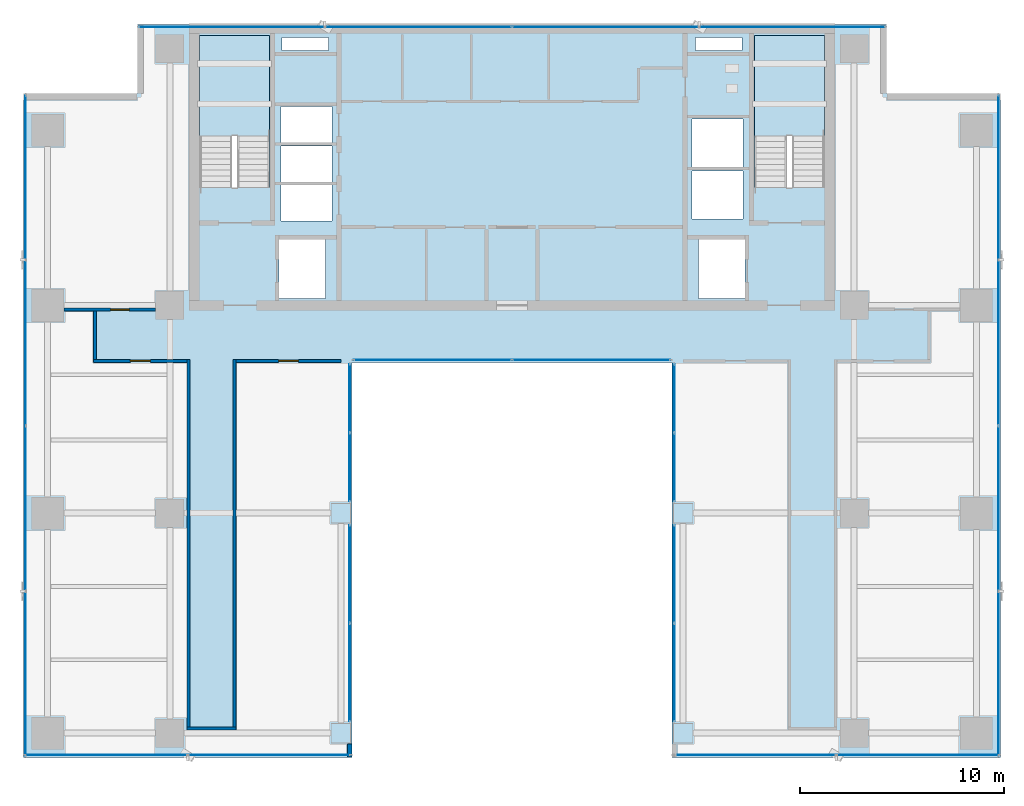
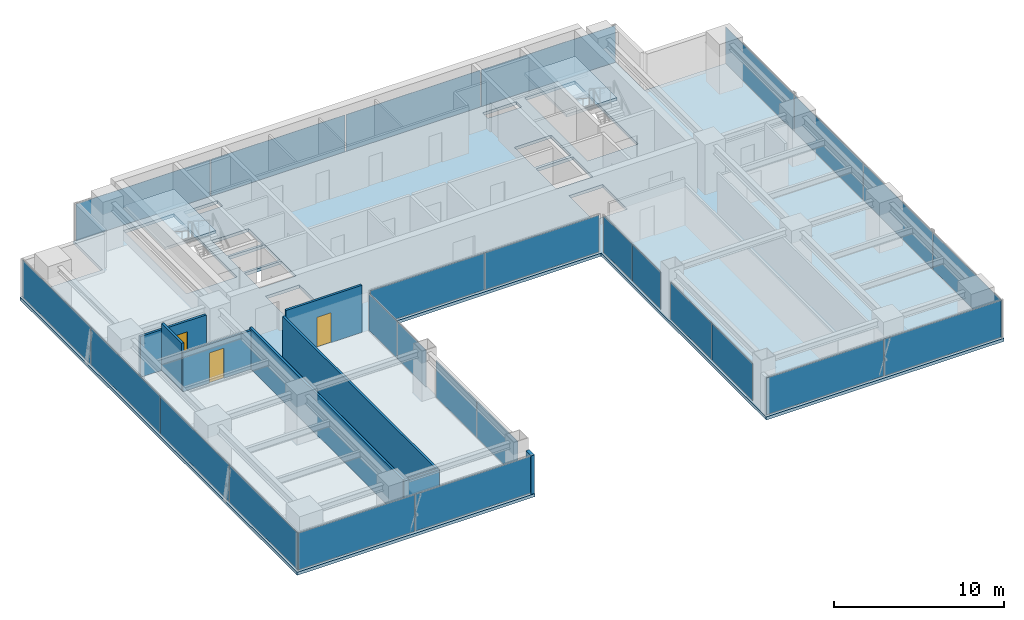
# One storey, part 23 of 29: 26 plates, 8 walls, 3 doors, 3 slabs, 3 openings, 12 elements without a shape of their own.
"""IFC4 building model written with IfcOpenShell, lengths in metres."""

from ifc_helpers import new_model, si_unit, direction, frame, frame_2d, origin, origin_2d, place, context, subcontext, project, spatial, polyline, rectangle, outline, extrude, source, transform, mapped, material, layer, layer_set, type_object, element, fill, aggregate, save


model = new_model("IFC4")

# Units and contexts
model_context = context("Model", 3, precision=1e-05, world=origin(), true_north=direction((0.0, 1.0)))
body_context = subcontext(model_context, "Body", "Model", "MODEL_VIEW")
ifc_project = project(units=[si_unit("LENGTHUNIT", "METRE"), si_unit("AREAUNIT", "SQUARE_METRE"), si_unit("VOLUMEUNIT", "CUBIC_METRE"), si_unit("PLANEANGLEUNIT", "RADIAN"), si_unit("MASSUNIT", "GRAM", prefix="KILO")], contexts=[model_context])

# Site, building, storey
site_placement = place(None, origin())
site = spatial("IfcSite", under=ifc_project, at=site_placement, CompositionType="ELEMENT")
building_placement = place(site_placement, origin())
building = spatial("IfcBuilding", under=site, at=building_placement, Name="Sumidabori Civic Tower", CompositionType="ELEMENT")
storey_placement = place(building_placement, frame((0.0, 0.0, 207.199951171875)))
storey = spatial("IfcBuildingStorey", under=building, at=storey_placement, Name="L53", CompositionType="ELEMENT", Elevation=207.199951171875)

# Stair, slab
ifc_material_1 = material(Name="Concrete C40/50", Category="concrete")
stair_type = type_object("IfcStairType", Name="ST-CORE-1600", PredefinedType="HALF_TURN_STAIR", material=ifc_material_1)
stair_1_placement = place(storey_placement, origin())
stair_1 = element("IfcStair", 1, at=stair_1_placement, inside=storey, type_object=stair_type, Name="L53 ST-1", PredefinedType="HALF_TURN_STAIR")
ifc_layer_1 = layer(ifc_material_1, 0.199951171875, Name="Concrete C40/50")
ifc_layer_set_1 = layer_set([ifc_layer_1], Name="Concrete C40/50")
slab_type_1 = type_object("IfcSlabType", Name="SL-LAND-200", PredefinedType="LANDING", material=ifc_layer_set_1)
slab_1_placement = place(storey_placement, frame((0.0, 0.0, 1.60009765625)))
slab_1 = element("IfcSlab", 2, at=slab_1_placement, type_object=slab_type_1, Name="ST-1 landing 1", PredefinedType="LANDING", context=body_context, shape_type="SweptSolid", body=[
    extrude(outline(polyline([(-11.89990234375, 18.52001953125), (-11.89990234375, 23.449951171875), (-15.340087890625, 23.449951171875), (-15.340087890625, 18.52001953125), (-11.89990234375, 18.52001953125)])), origin(), (0.0, 0.0, 1.0), 0.199951171875),
])
aggregate(stair_1, [slab_1])

stair_2_placement = place(storey_placement, origin())
stair_2 = element("IfcStair", 3, at=stair_2_placement, inside=storey, type_object=stair_type, Name="L53 ST-2", PredefinedType="HALF_TURN_STAIR")
slab_2_placement = place(storey_placement, frame((0.0, 0.0, 1.60009765625)))
slab_2 = element("IfcSlab", 4, at=slab_2_placement, type_object=slab_type_1, Name="ST-2 landing 1", PredefinedType="LANDING", context=body_context, shape_type="SweptSolid", body=[
    extrude(outline(polyline([(15.340087890625, 18.52001953125), (15.340087890625, 23.449951171875), (11.89990234375, 23.449951171875), (11.89990234375, 18.52001953125), (15.340087890625, 18.52001953125)])), origin(), (0.0, 0.0, 1.0), 0.199951171875),
])
aggregate(stair_2, [slab_2])

# Slab
ifc_layer_2 = layer(ifc_material_1, 0.219970703125, Name="Concrete C40/50")
ifc_layer_set_2 = layer_set([ifc_layer_2], Name="Concrete C40/50")
slab_type_2 = type_object("IfcSlabType", Name="SL-Z3-220", PredefinedType="FLOOR", material=ifc_layer_set_2)
slab_3_placement = place(storey_placement, frame((0.0, 0.0, -0.219970703125)))
element("IfcSlab", 5, at=slab_3_placement, inside=storey, type_object=slab_type_2, Name="Structural Slab L53", PredefinedType="FLOOR", context=body_context, shape_type="SweptSolid", body=[
    extrude(outline(polyline([(-24.0, -12.0), (-7.85009765625, -12.0), (-7.85009765625, 7.39990234375), (7.85009765625, 7.39990234375), (7.85009765625, -12.0), (24.0, -12.0), (24.0, 20.60009765625), (18.39990234375, 20.60009765625), (18.39990234375, 24.0), (-18.39990234375, 24.0), (-18.39990234375, 20.60009765625), (-24.0, 20.60009765625), (-24.0, -12.0)]), holes=[polyline([(-11.89990234375, 16.0), (-11.89990234375, 23.449951171875), (-15.340087890625, 23.449951171875), (-15.340087890625, 16.0), (-11.89990234375, 16.0)]), polyline([(15.340087890625, 16.0), (15.340087890625, 23.449951171875), (11.89990234375, 23.449951171875), (11.89990234375, 16.0), (15.340087890625, 16.0)]), polyline([(-11.449951171875, 10.550048828125), (-9.14990234375, 10.550048828125), (-9.14990234375, 13.449951171875), (-11.449951171875, 13.449951171875), (-11.449951171875, 10.550048828125)]), polyline([(9.14990234375, 10.550048828125), (11.449951171875, 10.550048828125), (11.449951171875, 13.449951171875), (9.14990234375, 13.449951171875), (9.14990234375, 10.550048828125)]), polyline([(-11.35009765625, 14.35009765625), (-8.85009765625, 14.35009765625), (-8.85009765625, 16.1201171875), (-11.35009765625, 16.1201171875), (-11.35009765625, 14.35009765625)]), polyline([(-11.35009765625, 16.27001953125), (-8.85009765625, 16.27001953125), (-8.85009765625, 18.0400390625), (-11.35009765625, 18.0400390625), (-11.35009765625, 16.27001953125)]), polyline([(-11.35009765625, 18.18994140625), (-8.85009765625, 18.18994140625), (-8.85009765625, 19.9599609375), (-11.35009765625, 19.9599609375), (-11.35009765625, 18.18994140625)]), polyline([(8.85009765625, 14.449951171875), (11.35009765625, 14.449951171875), (11.35009765625, 16.800048828125), (8.85009765625, 16.800048828125), (8.85009765625, 14.449951171875)]), polyline([(8.85009765625, 17.0), (11.35009765625, 17.0), (11.35009765625, 19.35009765625), (8.85009765625, 19.35009765625), (8.85009765625, 17.0)]), polyline([(-11.300048828125, 22.719970703125), (-9.0, 22.719970703125), (-9.0, 23.35009765625), (-11.300048828125, 23.35009765625), (-11.300048828125, 22.719970703125)]), polyline([(9.0, 22.719970703125), (11.300048828125, 22.719970703125), (11.300048828125, 23.35009765625), (9.0, 23.35009765625), (9.0, 22.719970703125)])]), origin(), (0.0, 0.0, 1.0), 0.219970703125),
])

# Curtain wall, plates
ifc_material_2 = material(Name="Anodised Bronze Aluminium AW-6063-T6", Category="aluminium")
ifc_layer_3 = layer(ifc_material_2, 0.179931640625, Name="Anodised Bronze Aluminium AW-6063-T6")
ifc_layer_set_3 = layer_set([ifc_layer_3], Name="Anodised Bronze Aluminium AW-6063-T6")
curtain_wall_type_1 = type_object("IfcCurtainWallType", Name="CW-SYS-5", PredefinedType="NOTDEFINED", material=ifc_layer_set_3)
curtain_wall_1_placement = place(storey_placement, origin())
curtain_wall_1 = element("IfcCurtainWall", 6, at=curtain_wall_1_placement, inside=storey, type_object=curtain_wall_type_1, Name="Curtain Wall CW:L53:R01", PredefinedType="NOTDEFINED")
ifc_material_3 = material(Name="Low-E Solar-Control Vision Glazing", Category="glass")
ifc_layer_4 = layer(ifc_material_3, 0.028076171875, Name="Low-E Solar-Control Vision Glazing")
ifc_layer_set_4 = layer_set([ifc_layer_4], Name="Low-E Solar-Control Vision Glazing")
plate_type_1 = type_object("IfcPlateType", Name="CW-PNL-28", PredefinedType="CURTAIN_PANEL", material=ifc_layer_set_4)
shared_shape_1 = source(origin(), body_context, "Body", "SweptSolid", [
    extrude(rectangle(XDim=7.955078125, YDim=0.028076171875, at=origin_2d()), origin(), (0.0, 0.0, 1.0), 2.639892578125),
])
plate_1_placement = place(storey_placement, frame((-19.9326171875, -11.8798828125, 0.06005859375), z_axis=(0.0, 0.0, 1.0), x_axis=(1.0, 0.0, 0.0)))
plate_1 = element("IfcPlate", 7, at=plate_1_placement, type_object=plate_type_1, Name="CW-5 panel 1.1", PredefinedType="CURTAIN_PANEL", context=body_context, shape_type="MappedRepresentation", body=[
    mapped(shared_shape_1, transform((0.0, 0.0, 0.0), x_axis=(1.0, 0.0, 0.0), y_axis=(0.0, 1.0, 0.0), z_axis=(0.0, 0.0, 1.0), scale=1.0)),
])
plate_2_placement = place(storey_placement, frame((-11.91748046875, -11.8798828125, 0.06005859375), z_axis=(0.0, 0.0, 1.0), x_axis=(1.0, 0.0, 0.0)))
plate_2 = element("IfcPlate", 8, at=plate_2_placement, type_object=plate_type_1, Name="CW-5 panel 2.1", PredefinedType="CURTAIN_PANEL", context=body_context, shape_type="MappedRepresentation", body=[
    mapped(shared_shape_1, transform((0.0, 0.0, 0.0), x_axis=(1.0, 0.0, 0.0), y_axis=(0.0, 1.0, 0.0), z_axis=(0.0, 0.0, 1.0), scale=1.0)),
])
aggregate(curtain_wall_1, [plate_1, plate_2])

curtain_wall_2_placement = place(storey_placement, origin())
curtain_wall_2 = element("IfcCurtainWall", 9, at=curtain_wall_2_placement, inside=storey, type_object=curtain_wall_type_1, Name="Curtain Wall CW:L53:R09", PredefinedType="NOTDEFINED")
plate_3_placement = place(storey_placement, frame((11.91748046875, -11.8798828125, 0.06005859375), z_axis=(0.0, 0.0, 1.0), x_axis=(1.0, 0.0, 0.0)))
plate_3 = element("IfcPlate", 10, at=plate_3_placement, type_object=plate_type_1, Name="CW-5 panel 1.1", PredefinedType="CURTAIN_PANEL", context=body_context, shape_type="MappedRepresentation", body=[
    mapped(shared_shape_1, transform((0.0, 0.0, 0.0), x_axis=(1.0, 0.0, 0.0), y_axis=(0.0, 1.0, 0.0), z_axis=(0.0, 0.0, 1.0), scale=1.0)),
])
plate_4_placement = place(storey_placement, frame((19.9326171875, -11.8798828125, 0.06005859375), z_axis=(0.0, 0.0, 1.0), x_axis=(1.0, 0.0, 0.0)))
plate_4 = element("IfcPlate", 11, at=plate_4_placement, type_object=plate_type_1, Name="CW-5 panel 2.1", PredefinedType="CURTAIN_PANEL", context=body_context, shape_type="MappedRepresentation", body=[
    mapped(shared_shape_1, transform((0.0, 0.0, 0.0), x_axis=(1.0, 0.0, 0.0), y_axis=(0.0, 1.0, 0.0), z_axis=(0.0, 0.0, 1.0), scale=1.0)),
])
aggregate(curtain_wall_2, [plate_3, plate_4])

ifc_layer_5 = layer(ifc_material_2, 0.179931640625, Name="Anodised Bronze Aluminium AW-6063-T6")
ifc_layer_set_5 = layer_set([ifc_layer_5], Name="Anodised Bronze Aluminium AW-6063-T6")
curtain_wall_type_2 = type_object("IfcCurtainWallType", Name="CW-SYS-4", PredefinedType="NOTDEFINED", material=ifc_layer_set_5)
curtain_wall_3_placement = place(storey_placement, origin())
curtain_wall_3 = element("IfcCurtainWall", 12, at=curtain_wall_3_placement, inside=storey, type_object=curtain_wall_type_2, Name="Curtain Wall CW:L53:R03", PredefinedType="NOTDEFINED")
ifc_material_4 = material(Name="Acoustic Laminated Portal Glazing", Category="glass")
ifc_layer_6 = layer(ifc_material_4, 0.030029296875, Name="Acoustic Laminated Portal Glazing")
ifc_layer_set_6 = layer_set([ifc_layer_6], Name="Acoustic Laminated Portal Glazing")
plate_type_2 = type_object("IfcPlateType", Name="CW-PNL-30", PredefinedType="CURTAIN_PANEL", material=ifc_layer_set_6)
shared_shape_2 = source(origin(), body_context, "Body", "SweptSolid", [
    extrude(rectangle(XDim=4.780029296875, YDim=0.030029296875, at=origin_2d()), origin(), (0.0, 0.0, 1.0), 2.639892578125),
])
plate_5_placement = place(storey_placement, frame((-7.969970703125, -7.820068359375, 0.06005859375), z_axis=(0.0, 0.0, 1.0), x_axis=(0.0, 1.0, 0.0)))
plate_5 = element("IfcPlate", 13, at=plate_5_placement, type_object=plate_type_2, Name="CW-4 panel 1.1", PredefinedType="CURTAIN_PANEL", context=body_context, shape_type="MappedRepresentation", body=[
    mapped(shared_shape_2, transform((0.0, 0.0, 0.0), x_axis=(1.0, 0.0, 0.0), y_axis=(0.0, 1.0, 0.0), z_axis=(0.0, 0.0, 1.0), scale=1.0)),
])
plate_6_placement = place(storey_placement, frame((-7.969970703125, -2.97998046875, 0.06005859375), z_axis=(0.0, 0.0, 1.0), x_axis=(0.0, 1.0, 0.0)))
plate_6 = element("IfcPlate", 14, at=plate_6_placement, type_object=plate_type_2, Name="CW-4 panel 2.1", PredefinedType="CURTAIN_PANEL", context=body_context, shape_type="MappedRepresentation", body=[
    mapped(shared_shape_2, transform((0.0, 0.0, 0.0), x_axis=(1.0, 0.0, 0.0), y_axis=(0.0, 1.0, 0.0), z_axis=(0.0, 0.0, 1.0), scale=1.0)),
])
aggregate(curtain_wall_3, [plate_5, plate_6])

curtain_wall_4_placement = place(storey_placement, origin())
curtain_wall_4 = element("IfcCurtainWall", 15, at=curtain_wall_4_placement, inside=storey, type_object=curtain_wall_type_2, Name="Curtain Wall CW:L53:R07", PredefinedType="NOTDEFINED")
plate_7_placement = place(storey_placement, frame((7.969970703125, -2.97998046875, 0.06005859375), z_axis=(0.0, 0.0, 1.0), x_axis=(0.0, -1.0, 0.0)))
plate_7 = element("IfcPlate", 16, at=plate_7_placement, type_object=plate_type_2, Name="CW-4 panel 1.1", PredefinedType="CURTAIN_PANEL", context=body_context, shape_type="MappedRepresentation", body=[
    mapped(shared_shape_2, transform((0.0, 0.0, 0.0), x_axis=(1.0, 0.0, 0.0), y_axis=(0.0, 1.0, 0.0), z_axis=(0.0, 0.0, 1.0), scale=1.0)),
])
plate_8_placement = place(storey_placement, frame((7.969970703125, -7.820068359375, 0.06005859375), z_axis=(0.0, 0.0, 1.0), x_axis=(0.0, -1.0, 0.0)))
plate_8 = element("IfcPlate", 17, at=plate_8_placement, type_object=plate_type_2, Name="CW-4 panel 2.1", PredefinedType="CURTAIN_PANEL", context=body_context, shape_type="MappedRepresentation", body=[
    mapped(shared_shape_2, transform((0.0, 0.0, 0.0), x_axis=(1.0, 0.0, 0.0), y_axis=(0.0, 1.0, 0.0), z_axis=(0.0, 0.0, 1.0), scale=1.0)),
])
aggregate(curtain_wall_4, [plate_7, plate_8])

curtain_wall_5_placement = place(storey_placement, origin())
curtain_wall_5 = element("IfcCurtainWall", 18, at=curtain_wall_5_placement, inside=storey, type_object=curtain_wall_type_2, Name="Curtain Wall CW:L53:R04", PredefinedType="NOTDEFINED")
shared_shape_3 = source(origin(), body_context, "Body", "SweptSolid", [
    extrude(rectangle(XDim=3.330078125, YDim=0.030029296875, at=origin_2d()), origin(), (0.0, 0.0, 1.0), 2.639892578125),
])
plate_9_placement = place(storey_placement, frame((-7.969970703125, 2.2548828125, 0.06005859375), z_axis=(0.0, 0.0, 1.0), x_axis=(0.0, 1.0, 0.0)))
plate_9 = element("IfcPlate", 19, at=plate_9_placement, type_object=plate_type_2, Name="CW-4 panel 1.1", PredefinedType="CURTAIN_PANEL", context=body_context, shape_type="MappedRepresentation", body=[
    mapped(shared_shape_3, transform((0.0, 0.0, 0.0), x_axis=(1.0, 0.0, 0.0), y_axis=(0.0, 1.0, 0.0), z_axis=(0.0, 0.0, 1.0), scale=1.0)),
])
plate_10_placement = place(storey_placement, frame((-7.969970703125, 5.64501953125, 0.06005859375), z_axis=(0.0, 0.0, 1.0), x_axis=(0.0, 1.0, 0.0)))
plate_10 = element("IfcPlate", 20, at=plate_10_placement, type_object=plate_type_2, Name="CW-4 panel 2.1", PredefinedType="CURTAIN_PANEL", context=body_context, shape_type="MappedRepresentation", body=[
    mapped(shared_shape_3, transform((0.0, 0.0, 0.0), x_axis=(1.0, 0.0, 0.0), y_axis=(0.0, 1.0, 0.0), z_axis=(0.0, 0.0, 1.0), scale=1.0)),
])
aggregate(curtain_wall_5, [plate_9, plate_10])

curtain_wall_6_placement = place(storey_placement, origin())
curtain_wall_6 = element("IfcCurtainWall", 21, at=curtain_wall_6_placement, inside=storey, type_object=curtain_wall_type_2, Name="Curtain Wall CW:L53:R06", PredefinedType="NOTDEFINED")
plate_11_placement = place(storey_placement, frame((7.969970703125, 5.64501953125, 0.06005859375), z_axis=(0.0, 0.0, 1.0), x_axis=(0.0, -1.0, 0.0)))
plate_11 = element("IfcPlate", 22, at=plate_11_placement, type_object=plate_type_2, Name="CW-4 panel 1.1", PredefinedType="CURTAIN_PANEL", context=body_context, shape_type="MappedRepresentation", body=[
    mapped(shared_shape_3, transform((0.0, 0.0, 0.0), x_axis=(1.0, 0.0, 0.0), y_axis=(0.0, 1.0, 0.0), z_axis=(0.0, 0.0, 1.0), scale=1.0)),
])
plate_12_placement = place(storey_placement, frame((7.969970703125, 2.2548828125, 0.06005859375), z_axis=(0.0, 0.0, 1.0), x_axis=(0.0, -1.0, 0.0)))
plate_12 = element("IfcPlate", 23, at=plate_12_placement, type_object=plate_type_2, Name="CW-4 panel 2.1", PredefinedType="CURTAIN_PANEL", context=body_context, shape_type="MappedRepresentation", body=[
    mapped(shared_shape_3, transform((0.0, 0.0, 0.0), x_axis=(1.0, 0.0, 0.0), y_axis=(0.0, 1.0, 0.0), z_axis=(0.0, 0.0, 1.0), scale=1.0)),
])
aggregate(curtain_wall_6, [plate_11, plate_12])

curtain_wall_7_placement = place(storey_placement, origin())
curtain_wall_7 = element("IfcCurtainWall", 24, at=curtain_wall_7_placement, inside=storey, type_object=curtain_wall_type_2, Name="Curtain Wall CW:L53:R05", PredefinedType="NOTDEFINED")
shared_shape_4 = source(origin(), body_context, "Body", "SweptSolid", [
    extrude(rectangle(XDim=7.72998046875, YDim=0.030029296875, at=origin_2d()), origin(), (0.0, 0.0, 1.0), 2.639892578125),
])
plate_13_placement = place(storey_placement, frame((-3.89501953125, 7.52001953125, 0.06005859375), z_axis=(0.0, 0.0, 1.0), x_axis=(1.0, 0.0, 0.0)))
plate_13 = element("IfcPlate", 25, at=plate_13_placement, type_object=plate_type_2, Name="CW-4 panel 1.1", PredefinedType="CURTAIN_PANEL", context=body_context, shape_type="MappedRepresentation", body=[
    mapped(shared_shape_4, transform((0.0, 0.0, 0.0), x_axis=(1.0, 0.0, 0.0), y_axis=(0.0, 1.0, 0.0), z_axis=(0.0, 0.0, 1.0), scale=1.0)),
])
plate_14_placement = place(storey_placement, frame((3.89501953125, 7.52001953125, 0.06005859375), z_axis=(0.0, 0.0, 1.0), x_axis=(1.0, 0.0, 0.0)))
plate_14 = element("IfcPlate", 26, at=plate_14_placement, type_object=plate_type_2, Name="CW-4 panel 2.1", PredefinedType="CURTAIN_PANEL", context=body_context, shape_type="MappedRepresentation", body=[
    mapped(shared_shape_4, transform((0.0, 0.0, 0.0), x_axis=(1.0, 0.0, 0.0), y_axis=(0.0, 1.0, 0.0), z_axis=(0.0, 0.0, 1.0), scale=1.0)),
])
aggregate(curtain_wall_7, [plate_13, plate_14])

curtain_wall_8_placement = place(storey_placement, origin())
curtain_wall_8 = element("IfcCurtainWall", 27, at=curtain_wall_8_placement, inside=storey, type_object=curtain_wall_type_1, Name="Curtain Wall CW:L53:R10", PredefinedType="NOTDEFINED")
shared_shape_5 = source(origin(), body_context, "Body", "SweptSolid", [
    extrude(rectangle(XDim=8.044921875, YDim=0.028076171875, at=origin_2d()), origin(), (0.0, 0.0, 1.0), 2.639892578125),
])
plate_15_placement = place(storey_placement, frame((23.8798828125, -7.887451171875, 0.06005859375), z_axis=(0.0, 0.0, 1.0), x_axis=(0.0, 1.0, 0.0)))
plate_15 = element("IfcPlate", 28, at=plate_15_placement, type_object=plate_type_1, Name="CW-5 panel 1.1", PredefinedType="CURTAIN_PANEL", context=body_context, shape_type="MappedRepresentation", body=[
    mapped(shared_shape_5, transform((0.0, 0.0, 0.0), x_axis=(1.0, 0.0, 0.0), y_axis=(0.0, 1.0, 0.0), z_axis=(0.0, 0.0, 1.0), scale=1.0)),
])
plate_16_placement = place(storey_placement, frame((23.8798828125, 16.487548828125, 0.06005859375), z_axis=(0.0, 0.0, 1.0), x_axis=(0.0, 1.0, 0.0)))
plate_16 = element("IfcPlate", 29, at=plate_16_placement, type_object=plate_type_1, Name="CW-5 panel 4.1", PredefinedType="CURTAIN_PANEL", context=body_context, shape_type="MappedRepresentation", body=[
    mapped(shared_shape_5, transform((0.0, 0.0, 0.0), x_axis=(1.0, 0.0, 0.0), y_axis=(0.0, 1.0, 0.0), z_axis=(0.0, 0.0, 1.0), scale=1.0)),
])

curtain_wall_9_placement = place(storey_placement, origin())
curtain_wall_9 = element("IfcCurtainWall", 30, at=curtain_wall_9_placement, inside=storey, type_object=curtain_wall_type_1, Name="Curtain Wall CW:L53:R16", PredefinedType="NOTDEFINED")
plate_17_placement = place(storey_placement, frame((-23.8798828125, 16.487548828125, 0.06005859375), z_axis=(0.0, 0.0, 1.0), x_axis=(0.0, -1.0, 0.0)))
plate_17 = element("IfcPlate", 31, at=plate_17_placement, type_object=plate_type_1, Name="CW-5 panel 1.1", PredefinedType="CURTAIN_PANEL", context=body_context, shape_type="MappedRepresentation", body=[
    mapped(shared_shape_5, transform((0.0, 0.0, 0.0), x_axis=(1.0, 0.0, 0.0), y_axis=(0.0, 1.0, 0.0), z_axis=(0.0, 0.0, 1.0), scale=1.0)),
])
plate_18_placement = place(storey_placement, frame((-23.8798828125, -7.887451171875, 0.06005859375), z_axis=(0.0, 0.0, 1.0), x_axis=(0.0, -1.0, 0.0)))
plate_18 = element("IfcPlate", 32, at=plate_18_placement, type_object=plate_type_1, Name="CW-5 panel 4.1", PredefinedType="CURTAIN_PANEL", context=body_context, shape_type="MappedRepresentation", body=[
    mapped(shared_shape_5, transform((0.0, 0.0, 0.0), x_axis=(1.0, 0.0, 0.0), y_axis=(0.0, 1.0, 0.0), z_axis=(0.0, 0.0, 1.0), scale=1.0)),
])

# Plate
shared_shape_6 = source(origin(), body_context, "Body", "SweptSolid", [
    extrude(rectangle(XDim=8.074951171875, YDim=0.028076171875, at=origin_2d()), origin(), (0.0, 0.0, 1.0), 2.639892578125),
])
plate_19_placement = place(storey_placement, frame((23.8798828125, 0.232421875, 0.06005859375), z_axis=(0.0, 0.0, 1.0), x_axis=(0.0, 1.0, 0.0)))
plate_19 = element("IfcPlate", 33, at=plate_19_placement, type_object=plate_type_1, Name="CW-5 panel 2.1", PredefinedType="CURTAIN_PANEL", context=body_context, shape_type="MappedRepresentation", body=[
    mapped(shared_shape_6, transform((0.0, 0.0, 0.0), x_axis=(1.0, 0.0, 0.0), y_axis=(0.0, 1.0, 0.0), z_axis=(0.0, 0.0, 1.0), scale=1.0)),
])

plate_20_placement = place(storey_placement, frame((23.8798828125, 8.367431640625, 0.06005859375), z_axis=(0.0, 0.0, 1.0), x_axis=(0.0, 1.0, 0.0)))
plate_20 = element("IfcPlate", 34, at=plate_20_placement, type_object=plate_type_1, Name="CW-5 panel 3.1", PredefinedType="CURTAIN_PANEL", context=body_context, shape_type="MappedRepresentation", body=[
    mapped(shared_shape_6, transform((0.0, 0.0, 0.0), x_axis=(1.0, 0.0, 0.0), y_axis=(0.0, 1.0, 0.0), z_axis=(0.0, 0.0, 1.0), scale=1.0)),
])

aggregate(curtain_wall_8, [plate_15, plate_19, plate_20, plate_16])

plate_21_placement = place(storey_placement, frame((-23.8798828125, 8.367431640625, 0.06005859375), z_axis=(0.0, 0.0, 1.0), x_axis=(0.0, -1.0, 0.0)))
plate_21 = element("IfcPlate", 35, at=plate_21_placement, type_object=plate_type_1, Name="CW-5 panel 2.1", PredefinedType="CURTAIN_PANEL", context=body_context, shape_type="MappedRepresentation", body=[
    mapped(shared_shape_6, transform((0.0, 0.0, 0.0), x_axis=(1.0, 0.0, 0.0), y_axis=(0.0, 1.0, 0.0), z_axis=(0.0, 0.0, 1.0), scale=1.0)),
])

plate_22_placement = place(storey_placement, frame((-23.8798828125, 0.232421875, 0.06005859375), z_axis=(0.0, 0.0, 1.0), x_axis=(0.0, -1.0, 0.0)))
plate_22 = element("IfcPlate", 36, at=plate_22_placement, type_object=plate_type_1, Name="CW-5 panel 3.1", PredefinedType="CURTAIN_PANEL", context=body_context, shape_type="MappedRepresentation", body=[
    mapped(shared_shape_6, transform((0.0, 0.0, 0.0), x_axis=(1.0, 0.0, 0.0), y_axis=(0.0, 1.0, 0.0), z_axis=(0.0, 0.0, 1.0), scale=1.0)),
])

aggregate(curtain_wall_9, [plate_17, plate_21, plate_22, plate_18])

# Curtain wall, plates
curtain_wall_10_placement = place(storey_placement, origin())
curtain_wall_10 = element("IfcCurtainWall", 37, at=curtain_wall_10_placement, inside=storey, type_object=curtain_wall_type_1, Name="Curtain Wall CW:L53:R13", PredefinedType="NOTDEFINED")
shared_shape_7 = source(origin(), body_context, "Body", "SweptSolid", [
    extrude(rectangle(XDim=9.094970703125, YDim=0.028076171875, at=origin_2d()), origin(), (0.0, 0.0, 1.0), 2.639892578125),
])
plate_23_placement = place(storey_placement, frame((13.762451171875, 23.8798828125, 0.06005859375), z_axis=(0.0, 0.0, 1.0), x_axis=(-1.0, 0.0, 0.0)))
plate_23 = element("IfcPlate", 38, at=plate_23_placement, type_object=plate_type_1, Name="CW-5 panel 1.1", PredefinedType="CURTAIN_PANEL", context=body_context, shape_type="MappedRepresentation", body=[
    mapped(shared_shape_7, transform((0.0, 0.0, 0.0), x_axis=(1.0, 0.0, 0.0), y_axis=(0.0, 1.0, 0.0), z_axis=(0.0, 0.0, 1.0), scale=1.0)),
])
plate_24_placement = place(storey_placement, frame((-13.762451171875, 23.8798828125, 0.06005859375), z_axis=(0.0, 0.0, 1.0), x_axis=(-1.0, 0.0, 0.0)))
plate_24 = element("IfcPlate", 39, at=plate_24_placement, type_object=plate_type_1, Name="CW-5 panel 4.1", PredefinedType="CURTAIN_PANEL", context=body_context, shape_type="MappedRepresentation", body=[
    mapped(shared_shape_7, transform((0.0, 0.0, 0.0), x_axis=(1.0, 0.0, 0.0), y_axis=(0.0, 1.0, 0.0), z_axis=(0.0, 0.0, 1.0), scale=1.0)),
])
shared_shape_8 = source(origin(), body_context, "Body", "SweptSolid", [
    extrude(rectangle(XDim=9.125, YDim=0.028076171875, at=origin_2d()), origin(), (0.0, 0.0, 1.0), 2.639892578125),
])
plate_25_placement = place(storey_placement, frame((4.592529296875, 23.8798828125, 0.06005859375), z_axis=(0.0, 0.0, 1.0), x_axis=(-1.0, 0.0, 0.0)))
plate_25 = element("IfcPlate", 40, at=plate_25_placement, type_object=plate_type_1, Name="CW-5 panel 2.1", PredefinedType="CURTAIN_PANEL", context=body_context, shape_type="MappedRepresentation", body=[
    mapped(shared_shape_8, transform((0.0, 0.0, 0.0), x_axis=(1.0, 0.0, 0.0), y_axis=(0.0, 1.0, 0.0), z_axis=(0.0, 0.0, 1.0), scale=1.0)),
])
plate_26_placement = place(storey_placement, frame((-4.592529296875, 23.8798828125, 0.06005859375), z_axis=(0.0, 0.0, 1.0), x_axis=(-1.0, 0.0, 0.0)))
plate_26 = element("IfcPlate", 41, at=plate_26_placement, type_object=plate_type_1, Name="CW-5 panel 3.1", PredefinedType="CURTAIN_PANEL", context=body_context, shape_type="MappedRepresentation", body=[
    mapped(shared_shape_8, transform((0.0, 0.0, 0.0), x_axis=(1.0, 0.0, 0.0), y_axis=(0.0, 1.0, 0.0), z_axis=(0.0, 0.0, 1.0), scale=1.0)),
])
aggregate(curtain_wall_10, [plate_23, plate_25, plate_26, plate_24])

# Wall
ifc_material_5 = material(Name="Precast concrete C40/50", Category="concrete")
ifc_layer_7 = layer(ifc_material_5, 0.300048828125, Name="Precast concrete C40/50")
ifc_layer_set_7 = layer_set([ifc_layer_7], Name="Precast concrete C40/50")
wall_type_1 = type_object("IfcWallType", Name="WL-EXT-POD300", PredefinedType="STANDARD", material=ifc_layer_set_7)
shared_shape_9 = source(origin(), body_context, "Body", "SweptSolid", [
    extrude(rectangle(XDim=0.639892578125, YDim=0.239990234375, at=frame_2d((0.31982421875, 0.0))), origin(), (0.0, 0.0, 1.0), 2.760009765625),
])
wall_1_placement = place(storey_placement, frame((-7.969970703125, -11.969970703125, 0.0), z_axis=(0.0, 0.0, 1.0), x_axis=(0.0, 1.0, 0.0)))
element("IfcWall", 42, at=wall_1_placement, inside=storey, type_object=wall_type_1, Name="Perimeter Pier Spandrel L53-02", PredefinedType="STANDARD", context=body_context, shape_type="MappedRepresentation", body=[
    mapped(shared_shape_9, transform((0.0, 0.0, 0.0), x_axis=(1.0, 0.0, 0.0), y_axis=(0.0, 1.0, 0.0), z_axis=(0.0, 0.0, 1.0), scale=1.0)),
])

# Wall, opening, door
ifc_material_6 = material(Name="Gypsum Plasterboard Acoustic Partition")
ifc_layer_8 = layer(ifc_material_6, 0.14990234375, Name="Gypsum Plasterboard Acoustic Partition")
ifc_layer_set_8 = layer_set([ifc_layer_8], Name="Gypsum Plasterboard Acoustic Partition")
wall_type_2 = type_object("IfcWallType", Name="WL-PART-150", PredefinedType="PARTITIONING", material=ifc_layer_set_8)
shared_shape_10 = source(origin(), body_context, "Body", "SweptSolid", [
    extrude(rectangle(XDim=4.47998046875, YDim=0.14990234375, at=frame_2d((2.239990234375, 0.0))), origin(), (0.0, 0.0, 1.0), 2.9150390625),
])
wall_2_placement = place(storey_placement, frame((-21.989990234375, 10.0, 0.0), z_axis=(0.0, 0.0, 1.0), x_axis=(1.0, 0.0, 0.0)))
wall_2 = element("IfcWall", 43, at=wall_2_placement, inside=storey, type_object=wall_type_2, Name="Interior Partition WL:L53:FLK-NW", PredefinedType="PARTITIONING", context=body_context, shape_type="MappedRepresentation", body=[
    mapped(shared_shape_10, transform((0.0, 0.0, 0.0), x_axis=(1.0, 0.0, 0.0), y_axis=(0.0, 1.0, 0.0), z_axis=(0.0, 0.0, 1.0), scale=1.0)),
])
opening_1_placement = place(wall_2_placement, frame((2.284912109375, 0.0, 0.0)))
opening_1 = element("IfcOpeningElement", 44, at=opening_1_placement, cuts=wall_2, Name="Opening DR-1", PredefinedType="OPENING", context=body_context, shape_type="SweptSolid", body=[
    extrude(rectangle(XDim=0.89990234375, YDim=2.14990234375, at=frame_2d((0.449951171875, 1.074951171875))), frame((0.0, 0.0869140625, 0.0), z_axis=(0.0, -1.0, 0.0), x_axis=(1.0, 0.0, 0.0)), (0.0, 0.0, 1.0), 0.173828125),
])
ifc_material_7 = material(Name="Japanese Hinoki Timber", Category="wood")
door_type_1 = type_object("IfcDoorType", Name="DR-INT-900", OperationType="NOTDEFINED", PredefinedType="DOOR", material=ifc_material_7)
shared_shape_11 = source(origin(), body_context, "Body", "SweptSolid", [
    extrude(rectangle(XDim=0.89990234375, YDim=2.14990234375, at=frame_2d((0.449951171875, 1.074951171875))), frame((0.0, 0.02490234375, 0.0), z_axis=(0.0, -1.0, 0.0), x_axis=(1.0, 0.0, 0.0)), (0.0, 0.0, 1.0), 0.050048828125),
])
door_1_placement = place(opening_1_placement, origin())
door_1 = element("IfcDoor", 45, at=door_1_placement, inside=storey, type_object=door_type_1, Name="Door DR:L53:FLK-NW", OperationType="SINGLE_SWING_LEFT", OverallHeight=2.14990234375, OverallWidth=0.89990234375, PredefinedType="DOOR", context=body_context, shape_type="MappedRepresentation", body=[
    mapped(shared_shape_11, transform((0.0, 0.0, 0.0), x_axis=(1.0, 0.0, 0.0), y_axis=(0.0, 1.0, 0.0), z_axis=(0.0, 0.0, 1.0), scale=1.0)),
])
fill(opening_1, door_1)

shared_shape_12 = source(origin(), body_context, "Body", "SweptSolid", [
    extrude(rectangle(XDim=4.60009765625, YDim=0.14990234375, at=frame_2d((2.300048828125, 0.0))), origin(), (0.0, 0.0, 1.0), 2.76513671875),
])
wall_3_placement = place(storey_placement, frame((-20.550048828125, 7.47509765625, 0.0), z_axis=(0.0, 0.0, 1.0), x_axis=(1.0, 0.0, 0.0)))
wall_3 = element("IfcWall", 46, at=wall_3_placement, inside=storey, type_object=wall_type_2, Name="Interior Partition WL:L53:CORR-SWO", PredefinedType="PARTITIONING", context=body_context, shape_type="MappedRepresentation", body=[
    mapped(shared_shape_12, transform((0.0, 0.0, 0.0), x_axis=(1.0, 0.0, 0.0), y_axis=(0.0, 1.0, 0.0), z_axis=(0.0, 0.0, 1.0), scale=1.0)),
])
opening_2_placement = place(wall_3_placement, frame((1.81005859375, 0.0, 0.0)))
opening_2 = element("IfcOpeningElement", 47, at=opening_2_placement, cuts=wall_3, Name="Opening DR-3", PredefinedType="OPENING", context=body_context, shape_type="SweptSolid", body=[
    extrude(rectangle(XDim=0.97998046875, YDim=2.14990234375, at=frame_2d((0.489990234375, 1.074951171875))), frame((0.0, 0.0869140625, 0.0), z_axis=(0.0, -1.0, 0.0), x_axis=(1.0, 0.0, 0.0)), (0.0, 0.0, 1.0), 0.173828125),
])
door_type_2 = type_object("IfcDoorType", Name="DR-INT-980", OperationType="NOTDEFINED", PredefinedType="DOOR", material=ifc_material_7)
shared_shape_13 = source(origin(), body_context, "Body", "SweptSolid", [
    extrude(rectangle(XDim=0.97998046875, YDim=2.14990234375, at=frame_2d((0.489990234375, 1.074951171875))), frame((0.0, 0.02490234375, 0.0), z_axis=(0.0, -1.0, 0.0), x_axis=(1.0, 0.0, 0.0)), (0.0, 0.0, 1.0), 0.050048828125),
])
door_2_placement = place(opening_2_placement, origin())
door_2 = element("IfcDoor", 48, at=door_2_placement, inside=storey, type_object=door_type_2, Name="Door DR:L53:D03", OperationType="SINGLE_SWING_LEFT", OverallHeight=2.14990234375, OverallWidth=0.97998046875, PredefinedType="DOOR", context=body_context, shape_type="MappedRepresentation", body=[
    mapped(shared_shape_13, transform((0.0, 0.0, 0.0), x_axis=(1.0, 0.0, 0.0), y_axis=(0.0, 1.0, 0.0), z_axis=(0.0, 0.0, 1.0), scale=1.0)),
])
fill(opening_2, door_2)

shared_shape_14 = source(origin(), body_context, "Body", "SweptSolid", [
    extrude(rectangle(XDim=5.150146484375, YDim=0.14990234375, at=frame_2d((2.5751953125, 0.0))), origin(), (0.0, 0.0, 1.0), 3.380126953125),
])
wall_4_placement = place(storey_placement, frame((-13.550048828125, 7.47509765625, 0.0), z_axis=(0.0, 0.0, 1.0), x_axis=(1.0, 0.0, 0.0)))
wall_4 = element("IfcWall", 49, at=wall_4_placement, inside=storey, type_object=wall_type_2, Name="Interior Partition WL:L53:CORR-SWI", PredefinedType="PARTITIONING", context=body_context, shape_type="MappedRepresentation", body=[
    mapped(shared_shape_14, transform((0.0, 0.0, 0.0), x_axis=(1.0, 0.0, 0.0), y_axis=(0.0, 1.0, 0.0), z_axis=(0.0, 0.0, 1.0), scale=1.0)),
])
opening_3_placement = place(wall_4_placement, frame((2.0849609375, 0.0, 0.0)))
opening_3 = element("IfcOpeningElement", 50, at=opening_3_placement, cuts=wall_4, Name="Opening DR-3", PredefinedType="OPENING", context=body_context, shape_type="SweptSolid", body=[
    extrude(rectangle(XDim=0.97998046875, YDim=2.14990234375, at=frame_2d((0.489990234375, 1.074951171875))), frame((0.0, 0.0869140625, 0.0), z_axis=(0.0, -1.0, 0.0), x_axis=(1.0, 0.0, 0.0)), (0.0, 0.0, 1.0), 0.173828125),
])
door_3_placement = place(opening_3_placement, origin())
door_3 = element("IfcDoor", 51, at=door_3_placement, inside=storey, type_object=door_type_2, Name="Door DR:L53:D05", OperationType="SINGLE_SWING_LEFT", OverallHeight=2.14990234375, OverallWidth=0.97998046875, PredefinedType="DOOR", context=body_context, shape_type="MappedRepresentation", body=[
    mapped(shared_shape_13, transform((0.0, 0.0, 0.0), x_axis=(1.0, 0.0, 0.0), y_axis=(0.0, 1.0, 0.0), z_axis=(0.0, 0.0, 1.0), scale=1.0)),
])
fill(opening_3, door_3)

# Walls
shared_shape_15 = source(origin(), body_context, "Body", "SweptSolid", [
    extrude(rectangle(XDim=2.39990234375, YDim=0.14990234375, at=frame_2d((1.199951171875, 0.0))), origin(), (0.0, 0.0, 1.0), 2.9150390625),
])
wall_5_placement = place(storey_placement, frame((-15.949951171875, -10.574951171875, 0.0), z_axis=(0.0, 0.0, 1.0), x_axis=(1.0, 0.0, 0.0)))
element("IfcWall", 52, at=wall_5_placement, inside=storey, type_object=wall_type_2, Name="Interior Partition WL:L53:CORR-CAP-W", PredefinedType="PARTITIONING", context=body_context, shape_type="MappedRepresentation", body=[
    mapped(shared_shape_15, transform((0.0, 0.0, 0.0), x_axis=(1.0, 0.0, 0.0), y_axis=(0.0, 1.0, 0.0), z_axis=(0.0, 0.0, 1.0), scale=1.0)),
])
shared_shape_16 = source(origin(), body_context, "Body", "SweptSolid", [
    extrude(rectangle(XDim=2.364990234375, YDim=0.14990234375, at=frame_2d((1.1826171875, 0.0))), origin(), (0.0, 0.0, 1.0), 3.380126953125),
])
wall_6_placement = place(storey_placement, frame((-20.47509765625, 7.554931640625, 0.0), z_axis=(0.0, 0.0, 1.0), x_axis=(0.0, 1.0, 0.0)))
element("IfcWall", 53, at=wall_6_placement, inside=storey, type_object=wall_type_2, Name="Interior Partition WL:L53:CORR-VNW", PredefinedType="PARTITIONING", context=body_context, shape_type="MappedRepresentation", body=[
    mapped(shared_shape_16, transform((0.0, 0.0, 0.0), x_axis=(1.0, 0.0, 0.0), y_axis=(0.0, 1.0, 0.0), z_axis=(0.0, 0.0, 1.0), scale=1.0)),
])
shared_shape_17 = source(origin(), body_context, "Body", "SweptSolid", [
    extrude(rectangle(XDim=18.045166015625, YDim=0.14990234375, at=frame_2d((9.0224609375, 0.0))), origin(), (0.0, 0.0, 1.0), 2.9150390625),
])
for number, where, z_axis, x_axis, name in (
    (54, (-15.875, -10.4951171875, 0.0), (0.0, 0.0, 1.0), (0.0, 1.0, 0.0), "Interior Partition WL:L53:CORR-VPW-O"),
    (55, (-13.625, -10.4951171875, 0.0), (0.0, 0.0, 1.0), (0.0, 1.0, 0.0), "Interior Partition WL:L53:CORR-VPW-I"),
):
    element("IfcWall", number, at=place(storey_placement, frame(where, z_axis=z_axis, x_axis=x_axis)), inside=storey, type_object=wall_type_2, Name=name, PredefinedType="PARTITIONING", context=body_context, shape_type="MappedRepresentation", body=[
        mapped(shared_shape_17, transform((0.0, 0.0, 0.0), x_axis=(1.0, 0.0, 0.0), y_axis=(0.0, 1.0, 0.0), z_axis=(0.0, 0.0, 1.0), scale=1.0)),
    ])

save(model, "model.ifc")
